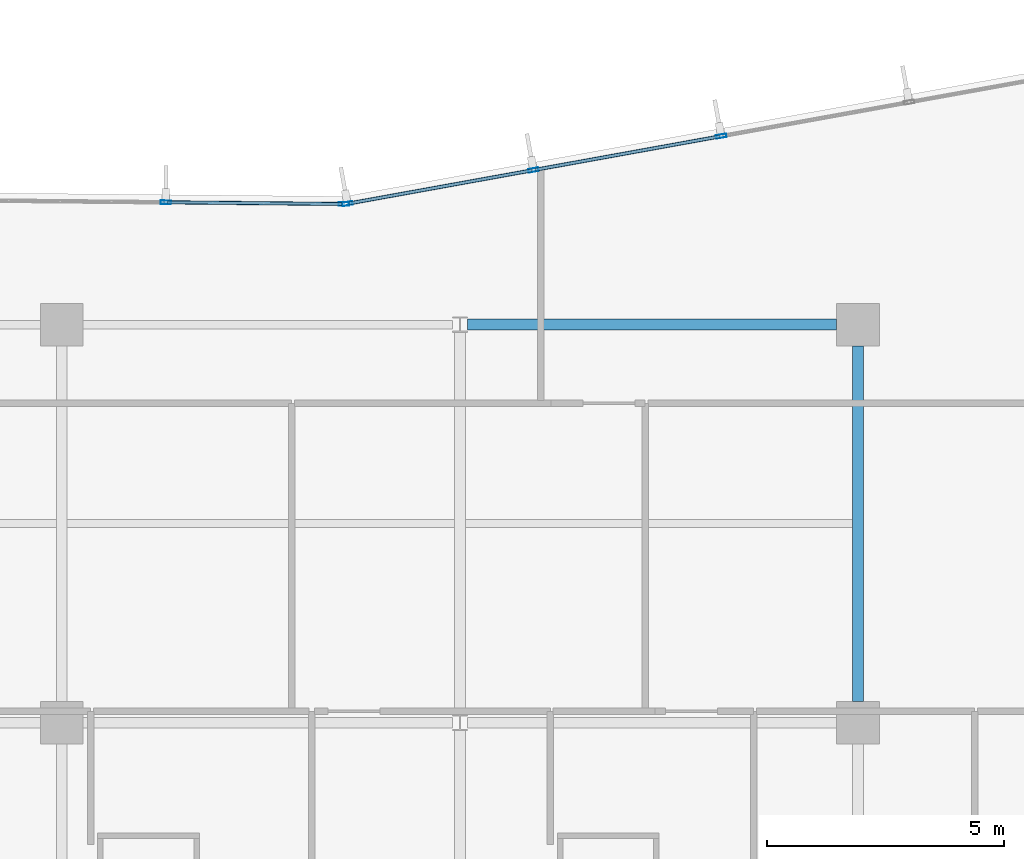
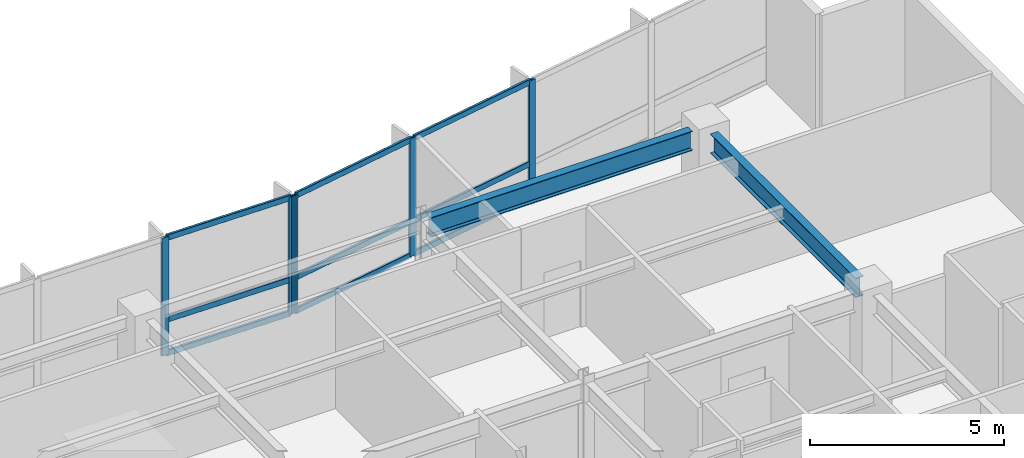
# One storey, part 6 of 19: 14 members, 2 beams, 2 elements without a shape of their own.
"""IFC4 building model written with IfcOpenShell, lengths in metres."""

from ifc_helpers import new_model, si_unit, direction, frame, origin, origin_2d, place, context, subcontext, project, spatial, hollow_rectangle, i_section, extrude, material, layer, layer_set, material_profile, profile_set, type_object, element, aggregate, save


model = new_model("IFC4")

# Units and contexts
model_context = context("Model", 3, precision=1e-05, world=origin(), true_north=direction((0.0, 1.0)))
body_context = subcontext(model_context, "Body", "Model", "MODEL_VIEW")
ifc_project = project(units=[si_unit("LENGTHUNIT", "METRE"), si_unit("AREAUNIT", "SQUARE_METRE"), si_unit("VOLUMEUNIT", "CUBIC_METRE"), si_unit("PLANEANGLEUNIT", "RADIAN"), si_unit("MASSUNIT", "GRAM", prefix="KILO")], contexts=[model_context])

# Site, building, storey
site_placement = place(None, origin())
site = spatial("IfcSite", under=ifc_project, at=site_placement, CompositionType="ELEMENT")
building_placement = place(site_placement, origin())
building = spatial("IfcBuilding", under=site, at=building_placement, Name="Varnakote Quay Hospital", CompositionType="ELEMENT")
storey_placement = place(building_placement, frame((0.0, 0.0, 89.64990234375)))
storey = spatial("IfcBuildingStorey", under=building, at=storey_placement, Name="L22", CompositionType="ELEMENT", Elevation=89.64990234375)

# Beams
ifc_material_1 = material(Name="Structural steel AS/NZS 3679.1 Grade 350 L0 (fy 340 MPa)", Category="steel")
ifc_material_profile_1 = material_profile(ifc_material_1, i_section(OverallWidth=0.22900390625, OverallDepth=0.612060546875, WebThickness=0.011962890625, FlangeThickness=0.01953125, FilletRadius=0.013916015625, at=origin_2d()), Name="610UB125")
ifc_profile_set_1 = profile_set([ifc_material_profile_1], Name="Structural steel AS/NZS 3679.1 Grade 350 L0 (fy 340 MPa)")
beam_type = type_object("IfcBeamType", Name="BM-STL-610UB125", PredefinedType="BEAM", material=ifc_profile_set_1)
beam_1_placement = place(storey_placement, frame((42.155517578125, 28.800048828125, 3.404052734375), z_axis=(1.0, 0.0, 0.0), x_axis=(0.0, 1.0, 0.0)))
element("IfcBeam", 1, at=beam_1_placement, inside=storey, type_object=beam_type, Name="L22 Primary Floor Beam", PredefinedType="BEAM", context=body_context, shape_type="SweptSolid", body=[
    extrude(i_section(OverallWidth=0.22900390625, OverallDepth=0.612060546875, WebThickness=0.011962890625, FlangeThickness=0.01953125, FilletRadius=0.013916015625, at=origin_2d()), origin(), (0.0, 0.0, 1.0), 7.79443359375),
])
beam_2_placement = place(storey_placement, frame((50.39990234375, 20.85009765625, 3.404052734375), z_axis=(0.0, 1.0, 0.0), x_axis=(-1.0, 0.0, 0.0)))
element("IfcBeam", 2, at=beam_2_placement, inside=storey, type_object=beam_type, Name="L22 Primary Tie Beam", PredefinedType="BEAM", context=body_context, shape_type="SweptSolid", body=[
    extrude(i_section(OverallWidth=0.22900390625, OverallDepth=0.612060546875, WebThickness=0.011962890625, FlangeThickness=0.01953125, FilletRadius=0.013916015625, at=origin_2d()), origin(), (0.0, 0.0, 1.0), 7.5),
])

# Curtain wall, members
ifc_material_2 = material(Name="Anodised aluminium 6063-T6 Bronze", Category="aluminium")
ifc_layer = layer(ifc_material_2, 0.18994140625)
ifc_layer_set = layer_set([ifc_layer], Name="Anodised aluminium 6063-T6 Bronze")
curtain_wall_type = type_object("IfcCurtainWallType", Name="CW-SYS-2", PredefinedType="NOTDEFINED", material=ifc_layer_set)
curtain_wall_1_placement = place(storey_placement, origin())
curtain_wall_1 = element("IfcCurtainWall", 3, at=curtain_wall_1_placement, inside=storey, type_object=curtain_wall_type, Name="L22 Unitised Bronze Curtain Wall 1", PredefinedType="NOTDEFINED")
ifc_material_3 = material(Name="Anodised aluminium 6063-T6 Bronze", Category="aluminium")
ifc_material_profile_2 = material_profile(ifc_material_3, hollow_rectangle(XDim=0.074951171875, YDim=0.219970703125, WallThickness=0.00439453125, InnerFilletRadius=0.00439453125, OuterFilletRadius=0.009033203125, at=origin_2d()), Name="CW-MULL-220x75")
ifc_profile_set_2 = profile_set([ifc_material_profile_2], Name="Anodised aluminium 6063-T6 Bronze")
member_type_1 = type_object("IfcMemberType", Name="CW-MULL-220x75", PredefinedType="MULLION", material=ifc_profile_set_2)
member_1_placement = place(storey_placement, frame((47.514892578125, 32.776123046875, 0.0), z_axis=(0.0, 0.0, 1.0), x_axis=(0.177846199098, -0.984058295766, 0.0)))
member_1 = element("IfcMember", 4, at=member_1_placement, type_object=member_type_1, Name="-2-L22-1 mullion 3", PredefinedType="MULLION", context=body_context, shape_type="SweptSolid", body=[
    extrude(hollow_rectangle(XDim=0.074951171875, YDim=0.219970703125, WallThickness=0.00439453125, InnerFilletRadius=0.00439453125, OuterFilletRadius=0.009033203125, at=origin_2d()), origin(), (0.0, 0.0, 1.0), 3.710205078125),
])
member_2_placement = place(storey_placement, frame((43.55224609375, 32.06005859375, 0.0), z_axis=(0.0, 0.0, 1.0), x_axis=(0.177846199098, -0.984058295766, 0.0)))
member_2 = element("IfcMember", 5, at=member_2_placement, type_object=member_type_1, Name="-2-L22-1 mullion 4", PredefinedType="MULLION", context=body_context, shape_type="SweptSolid", body=[
    extrude(hollow_rectangle(XDim=0.074951171875, YDim=0.219970703125, WallThickness=0.00439453125, InnerFilletRadius=0.00439453125, OuterFilletRadius=0.009033203125, at=origin_2d()), origin(), (0.0, 0.0, 1.0), 3.710205078125),
])
member_3_placement = place(storey_placement, frame((39.62646484375, 31.3505859375, 0.0), z_axis=(0.0, 0.0, 1.0), x_axis=(0.177846199098, -0.984058295766, 0.0)))
member_3 = element("IfcMember", 6, at=member_3_placement, type_object=member_type_1, Name="-2-L22-1 mullion 5", PredefinedType="MULLION", context=body_context, shape_type="SweptSolid", body=[
    extrude(hollow_rectangle(XDim=0.074951171875, YDim=0.219970703125, WallThickness=0.00439453125, InnerFilletRadius=0.00439453125, OuterFilletRadius=0.009033203125, at=origin_2d()), origin(), (0.0, 0.0, 1.0), 3.710205078125),
])

curtain_wall_2_placement = place(storey_placement, origin())
curtain_wall_2 = element("IfcCurtainWall", 7, at=curtain_wall_2_placement, inside=storey, type_object=curtain_wall_type, Name="L22 Unitised Bronze Curtain Wall 2", PredefinedType="NOTDEFINED")
member_4_placement = place(storey_placement, frame((39.552001953125, 31.34423828125, 0.0), z_axis=(0.0, 0.0, 1.0), x_axis=(-0.009774266312, -0.999952230718, 0.0)))
member_4 = element("IfcMember", 8, at=member_4_placement, type_object=member_type_1, Name="-2-L22-2 mullion 1", PredefinedType="MULLION", context=body_context, shape_type="SweptSolid", body=[
    extrude(hollow_rectangle(XDim=0.074951171875, YDim=0.219970703125, WallThickness=0.00439453125, InnerFilletRadius=0.00439453125, OuterFilletRadius=0.009033203125, at=origin_2d()), origin(), (0.0, 0.0, 1.0), 3.710205078125),
])
member_5_placement = place(storey_placement, frame((35.794189453125, 31.381103515625, 0.0), z_axis=(0.0, 0.0, 1.0), x_axis=(-0.009774266312, -0.999952230718, 0.0)))
member_5 = element("IfcMember", 9, at=member_5_placement, type_object=member_type_1, Name="-2-L22-2 mullion 2", PredefinedType="MULLION", context=body_context, shape_type="SweptSolid", body=[
    extrude(hollow_rectangle(XDim=0.074951171875, YDim=0.219970703125, WallThickness=0.00439453125, InnerFilletRadius=0.00439453125, OuterFilletRadius=0.009033203125, at=origin_2d()), origin(), (0.0, 0.0, 1.0), 3.710205078125),
])

# Member
ifc_material_4 = material(Name="Anodised aluminium 6063-T6 Bronze", Category="aluminium")
ifc_material_profile_3 = material_profile(ifc_material_4, hollow_rectangle(XDim=0.074951171875, YDim=0.179931640625, WallThickness=0.004150390625, InnerFilletRadius=0.004150390625, OuterFilletRadius=0.00830078125, at=origin_2d()), Name="CW-TRAN-180x75")
ifc_profile_set_3 = profile_set([ifc_material_profile_3], Name="Anodised aluminium 6063-T6 Bronze")
member_type_2 = type_object("IfcMemberType", Name="CW-TRAN-180x75", PredefinedType="USERDEFINED", material=ifc_profile_set_3)
member_6_placement = place(storey_placement, frame((47.477783203125, 32.76953125, 0.03759765625), z_axis=(-0.98405423478, -0.177868667876, 0.0), x_axis=(0.177868667876, -0.98405423478, 0.0)))
member_6 = element("IfcMember", 10, at=member_6_placement, type_object=member_type_2, Name="-2-L22-1 transom 3.1", ObjectType="TRANSOM", PredefinedType="USERDEFINED", context=body_context, shape_type="SweptSolid", body=[
    extrude(hollow_rectangle(XDim=0.074951171875, YDim=0.179931640625, WallThickness=0.004150390625, InnerFilletRadius=0.004150390625, OuterFilletRadius=0.00830078125, at=origin_2d()), origin(), (0.0, 0.0, 1.0), 3.95166015625),
])

member_7_placement = place(storey_placement, frame((47.477783203125, 32.76953125, 1.10009765625), z_axis=(-0.98405423478, -0.177868667876, 0.0), x_axis=(0.177868667876, -0.98405423478, 0.0)))
member_7 = element("IfcMember", 11, at=member_7_placement, type_object=member_type_2, Name="-2-L22-1 transom 3.2", ObjectType="TRANSOM", PredefinedType="USERDEFINED", context=body_context, shape_type="SweptSolid", body=[
    extrude(hollow_rectangle(XDim=0.074951171875, YDim=0.179931640625, WallThickness=0.004150390625, InnerFilletRadius=0.004150390625, OuterFilletRadius=0.00830078125, at=origin_2d()), origin(), (0.0, 0.0, 1.0), 3.95166015625),
])

member_8_placement = place(storey_placement, frame((47.477783203125, 32.76953125, 3.672607421875), z_axis=(-0.98405423478, -0.177868667876, 0.0), x_axis=(0.177868667876, -0.98405423478, 0.0)))
member_8 = element("IfcMember", 12, at=member_8_placement, type_object=member_type_2, Name="-2-L22-1 transom 3.3", ObjectType="TRANSOM", PredefinedType="USERDEFINED", context=body_context, shape_type="SweptSolid", body=[
    extrude(hollow_rectangle(XDim=0.074951171875, YDim=0.179931640625, WallThickness=0.004150390625, InnerFilletRadius=0.004150390625, OuterFilletRadius=0.00830078125, at=origin_2d()), origin(), (0.0, 0.0, 1.0), 3.95166015625),
])

member_9_placement = place(storey_placement, frame((43.515380859375, 32.053466796875, 0.03759765625), z_axis=(-0.984053005206, -0.177875470329, 0.0), x_axis=(0.177875470329, -0.984053005206, 0.0)))
member_9 = element("IfcMember", 13, at=member_9_placement, type_object=member_type_2, Name="-2-L22-1 transom 4.1", ObjectType="TRANSOM", PredefinedType="USERDEFINED", context=body_context, shape_type="SweptSolid", body=[
    extrude(hollow_rectangle(XDim=0.074951171875, YDim=0.179931640625, WallThickness=0.004150390625, InnerFilletRadius=0.004150390625, OuterFilletRadius=0.00830078125, at=origin_2d()), origin(), (0.0, 0.0, 1.0), 3.91455078125),
])

member_10_placement = place(storey_placement, frame((43.515380859375, 32.053466796875, 1.10009765625), z_axis=(-0.984053005206, -0.177875470329, 0.0), x_axis=(0.177875470329, -0.984053005206, 0.0)))
member_10 = element("IfcMember", 14, at=member_10_placement, type_object=member_type_2, Name="-2-L22-1 transom 4.2", ObjectType="TRANSOM", PredefinedType="USERDEFINED", context=body_context, shape_type="SweptSolid", body=[
    extrude(hollow_rectangle(XDim=0.074951171875, YDim=0.179931640625, WallThickness=0.004150390625, InnerFilletRadius=0.004150390625, OuterFilletRadius=0.00830078125, at=origin_2d()), origin(), (0.0, 0.0, 1.0), 3.91455078125),
])

member_11_placement = place(storey_placement, frame((43.515380859375, 32.053466796875, 3.672607421875), z_axis=(-0.984053005206, -0.177875470329, 0.0), x_axis=(0.177875470329, -0.984053005206, 0.0)))
member_11 = element("IfcMember", 15, at=member_11_placement, type_object=member_type_2, Name="-2-L22-1 transom 4.3", ObjectType="TRANSOM", PredefinedType="USERDEFINED", context=body_context, shape_type="SweptSolid", body=[
    extrude(hollow_rectangle(XDim=0.074951171875, YDim=0.179931640625, WallThickness=0.004150390625, InnerFilletRadius=0.004150390625, OuterFilletRadius=0.00830078125, at=origin_2d()), origin(), (0.0, 0.0, 1.0), 3.91455078125),
])

aggregate(curtain_wall_1, [member_1, member_2, member_3, member_6, member_7, member_8, member_9, member_10, member_11])

member_12_placement = place(storey_placement, frame((39.5146484375, 31.3447265625, 0.03759765625), z_axis=(-0.99995252931, 0.009743671073, 0.0), x_axis=(-0.009743671073, -0.99995252931, 0.0)))
member_12 = element("IfcMember", 16, at=member_12_placement, type_object=member_type_2, Name="-2-L22-2 transom 1.1", ObjectType="TRANSOM", PredefinedType="USERDEFINED", context=body_context, shape_type="SweptSolid", body=[
    extrude(hollow_rectangle(XDim=0.074951171875, YDim=0.179931640625, WallThickness=0.004150390625, InnerFilletRadius=0.004150390625, OuterFilletRadius=0.00830078125, at=origin_2d()), origin(), (0.0, 0.0, 1.0), 3.683349609375),
])

member_13_placement = place(storey_placement, frame((39.5146484375, 31.3447265625, 1.10009765625), z_axis=(-0.99995252931, 0.009743671073, 0.0), x_axis=(-0.009743671073, -0.99995252931, 0.0)))
member_13 = element("IfcMember", 17, at=member_13_placement, type_object=member_type_2, Name="-2-L22-2 transom 1.2", ObjectType="TRANSOM", PredefinedType="USERDEFINED", context=body_context, shape_type="SweptSolid", body=[
    extrude(hollow_rectangle(XDim=0.074951171875, YDim=0.179931640625, WallThickness=0.004150390625, InnerFilletRadius=0.004150390625, OuterFilletRadius=0.00830078125, at=origin_2d()), origin(), (0.0, 0.0, 1.0), 3.683349609375),
])

member_14_placement = place(storey_placement, frame((39.5146484375, 31.3447265625, 3.672607421875), z_axis=(-0.99995252931, 0.009743671073, 0.0), x_axis=(-0.009743671073, -0.99995252931, 0.0)))
member_14 = element("IfcMember", 18, at=member_14_placement, type_object=member_type_2, Name="-2-L22-2 transom 1.3", ObjectType="TRANSOM", PredefinedType="USERDEFINED", context=body_context, shape_type="SweptSolid", body=[
    extrude(hollow_rectangle(XDim=0.074951171875, YDim=0.179931640625, WallThickness=0.004150390625, InnerFilletRadius=0.004150390625, OuterFilletRadius=0.00830078125, at=origin_2d()), origin(), (0.0, 0.0, 1.0), 3.683349609375),
])

aggregate(curtain_wall_2, [member_4, member_5, member_12, member_13, member_14])

save(model, "model.ifc")
